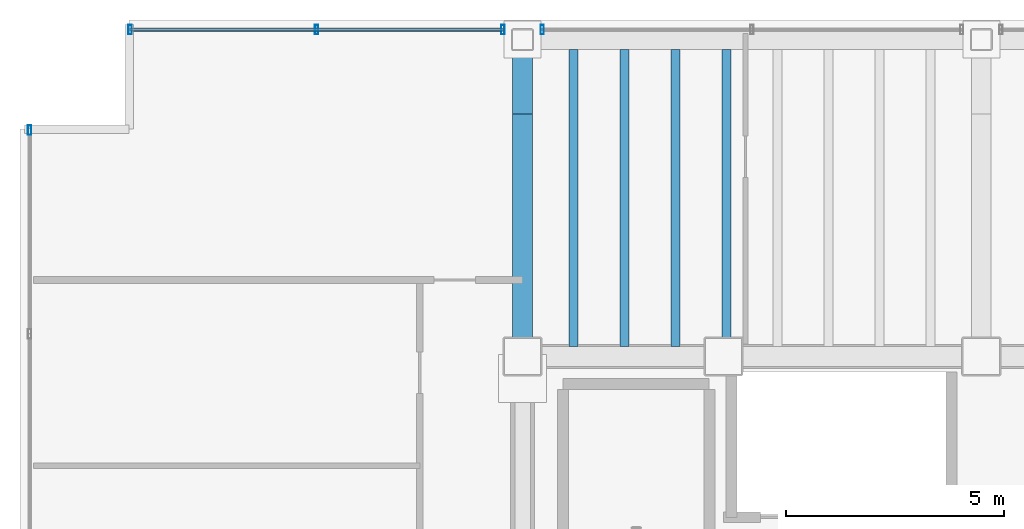
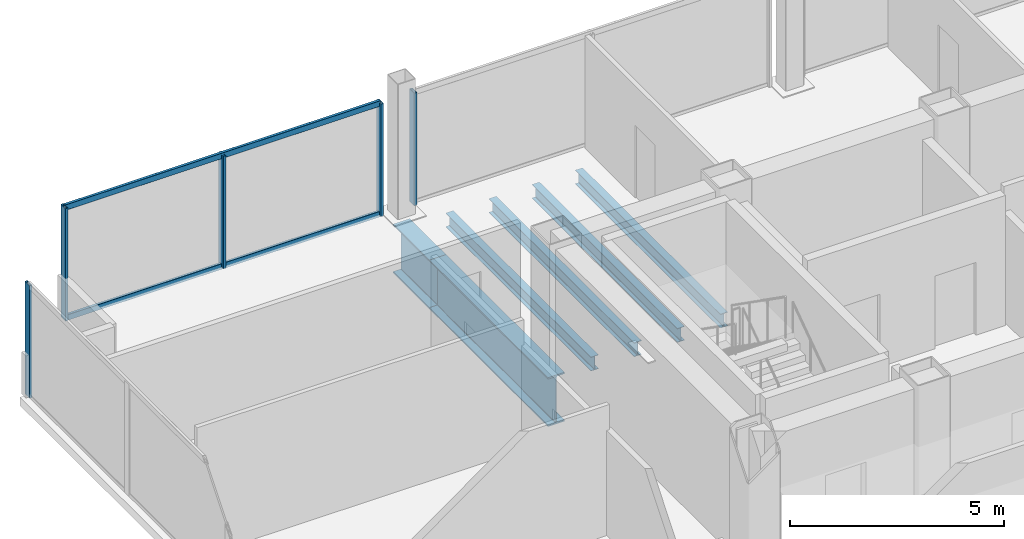
# One storey, part 10 of 24: 7 members, 6 beams, 3 elements without a shape of their own.
"""IFC4 building model written with IfcOpenShell, lengths in metres."""

from ifc_helpers import new_model, si_unit, direction, frame, origin, origin_2d, place, context, subcontext, project, spatial, hollow_rectangle, i_section, extrude, material, material_profile, profile_set, type_object, element, aggregate, save


model = new_model("IFC4")

# Units and contexts
model_context = context("Model", 3, precision=1e-05, world=origin(), true_north=direction((0.0, 1.0)))
body_context = subcontext(model_context, "Body", "Model", "MODEL_VIEW")
ifc_project = project(units=[si_unit("LENGTHUNIT", "METRE"), si_unit("AREAUNIT", "SQUARE_METRE"), si_unit("VOLUMEUNIT", "CUBIC_METRE"), si_unit("PLANEANGLEUNIT", "RADIAN"), si_unit("MASSUNIT", "GRAM", prefix="KILO")], contexts=[model_context])

# Site, building, storey
site_placement = place(None, origin())
site = spatial("IfcSite", under=ifc_project, at=site_placement, CompositionType="ELEMENT")
building_placement = place(site_placement, origin())
building = spatial("IfcBuilding", under=site, at=building_placement, Name="Noeulbin Bourse Tower", CompositionType="ELEMENT")
storey_placement = place(building_placement, frame((0.0, 0.0, 142.199951171875)))
storey = spatial("IfcBuildingStorey", under=building, at=storey_placement, Name="L35", CompositionType="ELEMENT", Elevation=142.199951171875)

# Beams
ifc_material_1 = material(Name="Steel S355", Category="steel")
ifc_material_profile_1 = material_profile(ifc_material_1, i_section(OverallWidth=0.199951171875, OverallDepth=0.39990234375, WebThickness=0.008056640625, FlangeThickness=0.012939453125, FilletRadius=0.01611328125, at=origin_2d()), Name="H-400x200x8x13", Category="LoadBearing")
ifc_profile_set_1 = profile_set([ifc_material_profile_1], Name="Steel S355")
beam_type_1 = type_object("IfcBeamType", Name="BM-SEC-400", PredefinedType="BEAM", material=ifc_profile_set_1)
for number, where, z_axis, x_axis, name in (
    (1, (14.666748046875, 38.52490234375, -0.43994140625), (0.0, 1.0, 0.0), (-1.0, 0.0, 0.0), "Tower Composite Joist L35-03"),
    (2, (15.833251953125, 38.52490234375, -0.43994140625), (0.0, 1.0, 0.0), (-1.0, 0.0, 0.0), "Tower Composite Joist L35-06"),
    (3, (17.0, 38.52490234375, -0.43994140625), (0.0, 1.0, 0.0), (-1.0, 0.0, 0.0), "Tower Composite Joist L35-09"),
    (4, (18.166748046875, 38.52490234375, -0.43994140625), (0.0, 1.0, 0.0), (-1.0, 0.0, 0.0), "Tower Composite Joist L35-12"),
):
    element("IfcBeam", number, at=place(storey_placement, frame(where, z_axis=z_axis, x_axis=x_axis)), inside=storey, type_object=beam_type_1, Name=name, PredefinedType="BEAM", context=body_context, shape_type="SweptSolid", body=[
        extrude(i_section(OverallWidth=0.199951171875, OverallDepth=0.39990234375, WebThickness=0.008056640625, FlangeThickness=0.012939453125, FilletRadius=0.01611328125, at=origin_2d()), origin(), (0.0, 0.0, 1.0), 6.800048828125),
    ])
ifc_material_2 = material(Name="Steel S460", Category="steel")
ifc_material_profile_2 = material_profile(ifc_material_2, i_section(OverallWidth=0.449951171875, OverallDepth=1.39990234375, WebThickness=0.02392578125, FlangeThickness=0.0400390625, FilletRadius=0.02392578125, at=origin_2d()), Name="PG-1400x450x24x40", Category="LoadBearing")
ifc_profile_set_2 = profile_set([ifc_material_profile_2], Name="Steel S460")
beam_type_2 = type_object("IfcBeamType", Name="BM-TRF-1400", PredefinedType="USERDEFINED", material=ifc_profile_set_2)
beam_1_placement = place(storey_placement, frame((13.5, 38.300048828125, -0.93994140625), z_axis=(0.0, 1.0, 0.0), x_axis=(-1.0, 0.0, 0.0)))
element("IfcBeam", 5, at=beam_1_placement, inside=storey, type_object=beam_type_2, Name="Tower Primary Girder NS L35-1.4", ObjectType="GIRDER", PredefinedType="USERDEFINED", context=body_context, shape_type="SweptSolid", body=[
    extrude(i_section(OverallWidth=0.449951171875, OverallDepth=1.39990234375, WebThickness=0.02392578125, FlangeThickness=0.0400390625, FilletRadius=0.02392578125, at=origin_2d()), origin(), (0.0, 0.0, 1.0), 5.550048828125),
])
beam_2_placement = place(storey_placement, frame((13.5, 43.85009765625, -0.93994140625), z_axis=(0.0, 1.0, 0.0), x_axis=(-1.0, 0.0, 0.0)))
element("IfcBeam", 6, at=beam_2_placement, inside=storey, type_object=beam_type_2, Name="Tower Primary Girder NS L35-1.5", ObjectType="GIRDER", PredefinedType="USERDEFINED", context=body_context, shape_type="SweptSolid", body=[
    extrude(i_section(OverallWidth=0.449951171875, OverallDepth=1.39990234375, WebThickness=0.02392578125, FlangeThickness=0.0400390625, FilletRadius=0.02392578125, at=origin_2d()), origin(), (0.0, 0.0, 1.0), 1.699951171875),
])

# Curtain wall, members
ifc_material_3 = material(Name="Dark Tinted Triple Glazing", Category="glass")
curtain_wall_type = type_object("IfcCurtainWallType", Name="CW-SYS-3", PredefinedType="NOTDEFINED", material=ifc_material_3)
curtain_wall_1_placement = place(storey_placement, origin())
curtain_wall_1 = element("IfcCurtainWall", 7, at=curtain_wall_1_placement, inside=storey, type_object=curtain_wall_type, Name="Unitised Curtain Wall CW-L35-N-S1", PredefinedType="NOTDEFINED")
ifc_material_4 = material(Name="Anodised Aluminium 6063-T6", Category="aluminium")
ifc_material_profile_3 = material_profile(ifc_material_4, hollow_rectangle(XDim=0.074951171875, YDim=0.219970703125, WallThickness=0.0048828125, InnerFilletRadius=0.00244140625, OuterFilletRadius=0.0048828125, at=origin_2d()), Name="ALU-MULL-75x220x5", Category="LoadBearing")
ifc_profile_set_3 = profile_set([ifc_material_profile_3], Name="Anodised Aluminium 6063-T6")
member_type_1 = type_object("IfcMemberType", Name="CW-SYS-3-MUL", PredefinedType="MULLION", material=ifc_profile_set_3)
member_1_placement = place(storey_placement, frame((4.52001953125, 45.780029296875, -0.02001953125), z_axis=(0.0, 0.0, 1.0), x_axis=(1.0, 0.0, 0.0)))
member_1 = element("IfcMember", 8, at=member_1_placement, type_object=member_type_1, Name="Curtain Wall Mullion CW-L35-N-S1-M00", PredefinedType="MULLION", context=body_context, shape_type="SweptSolid", body=[
    extrude(hollow_rectangle(XDim=0.074951171875, YDim=0.219970703125, WallThickness=0.0048828125, InnerFilletRadius=0.00244140625, OuterFilletRadius=0.0048828125, at=origin_2d()), origin(), (0.0, 0.0, 1.0), 3.219970703125),
])
member_2_placement = place(storey_placement, frame((8.784912109375, 45.780029296875, -0.02001953125), z_axis=(0.0, 0.0, 1.0), x_axis=(1.0, 0.0, 0.0)))
member_2 = element("IfcMember", 9, at=member_2_placement, type_object=member_type_1, Name="Curtain Wall Mullion CW-L35-N-S1-M01", PredefinedType="MULLION", context=body_context, shape_type="SweptSolid", body=[
    extrude(hollow_rectangle(XDim=0.074951171875, YDim=0.219970703125, WallThickness=0.0048828125, InnerFilletRadius=0.00244140625, OuterFilletRadius=0.0048828125, at=origin_2d()), origin(), (0.0, 0.0, 1.0), 3.219970703125),
])
member_3_placement = place(storey_placement, frame((13.050048828125, 45.780029296875, -0.02001953125), z_axis=(0.0, 0.0, 1.0), x_axis=(1.0, 0.0, 0.0)))
member_3 = element("IfcMember", 10, at=member_3_placement, type_object=member_type_1, Name="Curtain Wall Mullion CW-L35-N-S1-M02", PredefinedType="MULLION", context=body_context, shape_type="SweptSolid", body=[
    extrude(hollow_rectangle(XDim=0.074951171875, YDim=0.219970703125, WallThickness=0.0048828125, InnerFilletRadius=0.00244140625, OuterFilletRadius=0.0048828125, at=origin_2d()), origin(), (0.0, 0.0, 1.0), 3.219970703125),
])

# Curtain wall, member
curtain_wall_2_placement = place(storey_placement, origin())
curtain_wall_2 = element("IfcCurtainWall", 11, at=curtain_wall_2_placement, inside=storey, type_object=curtain_wall_type, Name="Unitised Curtain Wall CW-L35-N-S2", PredefinedType="NOTDEFINED")
member_4_placement = place(storey_placement, frame((13.949951171875, 45.780029296875, -0.02001953125), z_axis=(0.0, 0.0, 1.0), x_axis=(1.0, 0.0, 0.0)))
member_4 = element("IfcMember", 12, at=member_4_placement, type_object=member_type_1, Name="Curtain Wall Mullion CW-L35-N-S2-M00", PredefinedType="MULLION", context=body_context, shape_type="SweptSolid", body=[
    extrude(hollow_rectangle(XDim=0.074951171875, YDim=0.219970703125, WallThickness=0.0048828125, InnerFilletRadius=0.00244140625, OuterFilletRadius=0.0048828125, at=origin_2d()), origin(), (0.0, 0.0, 1.0), 3.219970703125),
])
aggregate(curtain_wall_2, [member_4])

curtain_wall_3_placement = place(storey_placement, origin())
curtain_wall_3 = element("IfcCurtainWall", 13, at=curtain_wall_3_placement, inside=storey, type_object=curtain_wall_type, Name="Unitised Curtain Wall CW-L35-W-S2", PredefinedType="NOTDEFINED")
member_5_placement = place(storey_placement, frame((2.219970703125, 43.47998046875, -0.02001953125), z_axis=(0.0, 0.0, 1.0), x_axis=(1.0, 0.0, 0.0)))
member_5 = element("IfcMember", 14, at=member_5_placement, type_object=member_type_1, Name="Curtain Wall Mullion CW-L35-W-S2-M03", PredefinedType="MULLION", context=body_context, shape_type="SweptSolid", body=[
    extrude(hollow_rectangle(XDim=0.074951171875, YDim=0.219970703125, WallThickness=0.0048828125, InnerFilletRadius=0.00244140625, OuterFilletRadius=0.0048828125, at=origin_2d()), origin(), (0.0, 0.0, 1.0), 3.219970703125),
])
aggregate(curtain_wall_3, [member_5])

# Member
ifc_material_profile_4 = material_profile(ifc_material_4, hollow_rectangle(XDim=0.074951171875, YDim=0.159912109375, WallThickness=0.0048828125, InnerFilletRadius=0.00244140625, OuterFilletRadius=0.0048828125, at=origin_2d()), Name="ALU-TRAN-75x160x5", Category="LoadBearing")
ifc_profile_set_4 = profile_set([ifc_material_profile_4], Name="Anodised Aluminium 6063-T6")
member_type_2 = type_object("IfcMemberType", Name="CW-SYS-3-TRN", PredefinedType="USERDEFINED", material=ifc_profile_set_4)
member_6_placement = place(storey_placement, frame((4.530029296875, 45.780029296875, 0.010009765625), z_axis=(1.0, 0.0, 0.0), x_axis=(0.0, 1.0, 0.0)))
member_6 = element("IfcMember", 15, at=member_6_placement, type_object=member_type_2, Name="Curtain Wall Transom CW-L35-N-S1-T00", ObjectType="TRANSOM", PredefinedType="USERDEFINED", context=body_context, shape_type="SweptSolid", body=[
    extrude(hollow_rectangle(XDim=0.074951171875, YDim=0.159912109375, WallThickness=0.0048828125, InnerFilletRadius=0.00244140625, OuterFilletRadius=0.0048828125, at=origin_2d()), origin(), (0.0, 0.0, 1.0), 8.510009765625),
])

member_7_placement = place(storey_placement, frame((4.530029296875, 45.780029296875, 3.170166015625), z_axis=(1.0, 0.0, 0.0), x_axis=(0.0, 1.0, 0.0)))
member_7 = element("IfcMember", 16, at=member_7_placement, type_object=member_type_2, Name="Curtain Wall Transom CW-L35-N-S1-T01", ObjectType="TRANSOM", PredefinedType="USERDEFINED", context=body_context, shape_type="SweptSolid", body=[
    extrude(hollow_rectangle(XDim=0.074951171875, YDim=0.159912109375, WallThickness=0.0048828125, InnerFilletRadius=0.00244140625, OuterFilletRadius=0.0048828125, at=origin_2d()), origin(), (0.0, 0.0, 1.0), 8.510009765625),
])

aggregate(curtain_wall_1, [member_1, member_2, member_3, member_6, member_7])

save(model, "model.ifc")
